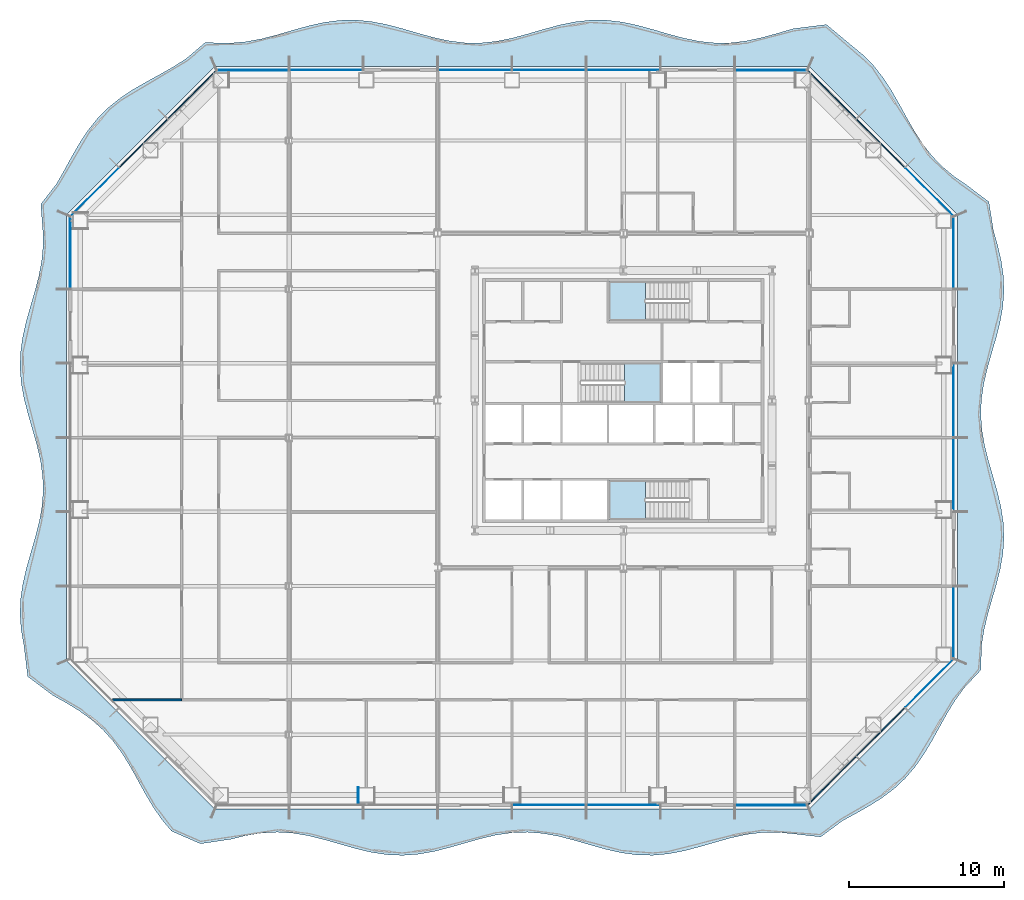
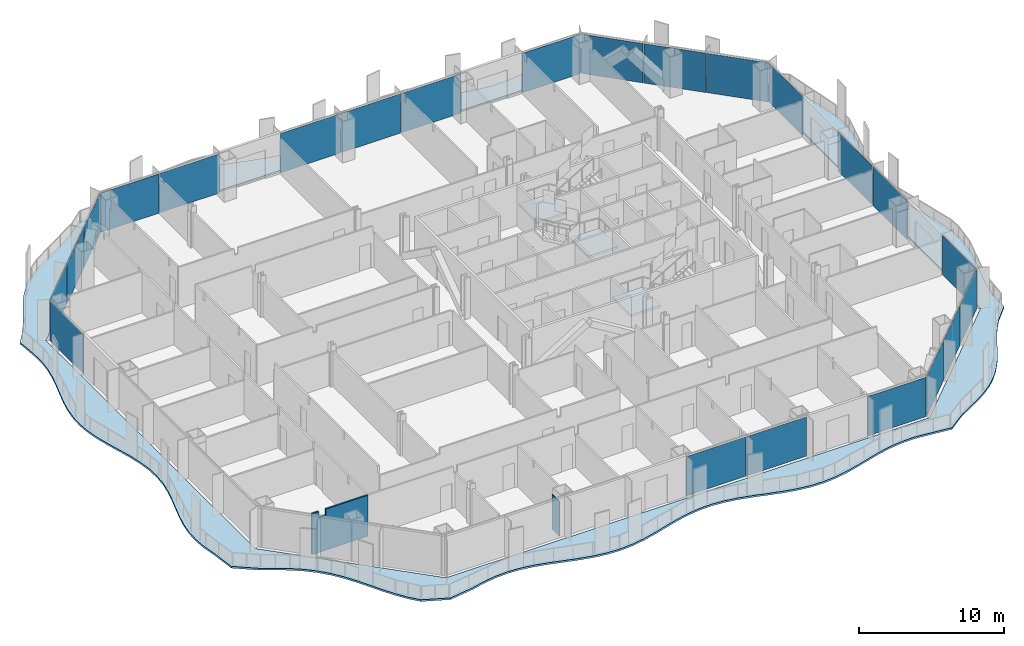
# One storey, part 5 of 21: 23 plates, 4 slabs, 2 walls, 10 elements without a shape of their own.
"""IFC4 building model written with IfcOpenShell, lengths in metres."""

from ifc_helpers import new_model, si_unit, direction, frame, frame_2d, origin, origin_2d, place, context, subcontext, project, spatial, polyline, rectangle, outline, extrude, material, layer, layer_set, type_object, element, aggregate, save


model = new_model("IFC4")

# Units and contexts
model_context = context("Model", 3, precision=1e-05, world=origin(), true_north=direction((0.0, 1.0)))
body_context = subcontext(model_context, "Body", "Model", "MODEL_VIEW")
ifc_project = project(units=[si_unit("LENGTHUNIT", "METRE"), si_unit("AREAUNIT", "SQUARE_METRE"), si_unit("VOLUMEUNIT", "CUBIC_METRE"), si_unit("PLANEANGLEUNIT", "RADIAN"), si_unit("MASSUNIT", "GRAM", prefix="KILO")], contexts=[model_context])

# Site, building, storey
site_placement = place(None, origin())
site = spatial("IfcSite", under=ifc_project, at=site_placement, CompositionType="ELEMENT")
building_placement = place(site_placement, origin())
building = spatial("IfcBuilding", under=site, at=building_placement, Name="Cairn Pilgrim Tower", CompositionType="ELEMENT")
storey_placement = place(building_placement, frame((0.0, 0.0, 58.199951171875)))
storey = spatial("IfcBuildingStorey", under=building, at=storey_placement, Name="L12", CompositionType="ELEMENT", Elevation=58.199951171875)

# Slab
ifc_material_1 = material(Name="Concrete C35/45", Category="concrete")
ifc_layer_1 = layer(ifc_material_1, 0.14990234375)
ifc_layer_set_1 = layer_set([ifc_layer_1], Name="BALCONY SLAB 150 CONCRETE C35/45")
slab_type_1 = type_object("IfcSlabType", Name="BALCONY SLAB 150 CONCRETE C35/45", PredefinedType="FLOOR", material=ifc_layer_set_1)
slab_1_placement = place(storey_placement, frame((0.0, 0.0, -0.14990234375)))
element("IfcSlab", 1, at=slab_1_placement, inside=storey, type_object=slab_type_1, Name="Balcony slab BS-1", PredefinedType="FLOOR", context=body_context, shape_type="SweptSolid", body=[
    extrude(outline(polyline([(-22.004150390625, -25.432861328125), (-20.132080078125, -26.25), (-18.189453125, -25.960205078125), (-17.178955078125, -25.71533203125), (-16.16845703125, -25.553466796875), (-15.157958984375, -25.5), (-14.1474609375, -25.563232421875), (-13.136962890625, -25.73291015625), (-12.126220703125, -25.983154296875), (-11.11572265625, -26.27490234375), (-10.105224609375, -26.5625), (-9.0947265625, -26.8017578125), (-8.084228515625, -26.955322265625), (-7.07373046875, -26.9990234375), (-6.063232421875, -26.926513671875), (-5.052734375, -26.748779296875), (-4.0419921875, -26.493408203125), (-3.031494140625, -26.200439453125), (-2.02099609375, -25.9150390625), (-1.010498046875, -25.681640625), (0.0, -25.53662109375), (1.010498046875, -25.50244140625), (2.02099609375, -25.58447265625), (3.031494140625, -25.77001953125), (4.0419921875, -26.030029296875), (5.052734375, -26.32421875), (6.063232421875, -26.60693359375), (7.07373046875, -26.834228515625), (8.084228515625, -26.970458984375), (9.0947265625, -26.994873046875), (10.105224609375, -26.903564453125), (11.11572265625, -26.710693359375), (12.126220703125, -26.446044921875), (13.136962890625, -26.151123046875), (14.1474609375, -25.871337890625), (15.157958984375, -25.650634765625), (16.16845703125, -25.52294921875), (17.178955078125, -25.50830078125), (18.189453125, -25.60888671875), (19.949462890625, -25.80908203125), (21.3466796875, -24.775390625), (22.23291015625, -24.2900390625), (23.10888671875, -23.794677734375), (23.947509765625, -23.261962890625), (24.72705078125, -22.669921875), (25.43359375, -22.005126953125), (26.064697265625, -21.2646484375), (26.627685546875, -20.456298828125), (27.140625, -19.59765625), (27.6279296875, -18.713623046875), (28.117919921875, -17.832275390625), (28.63916015625, -16.98193359375), (29.21484375, -16.186279296875), (30.300048828125, -15.021240234375), (30.353759765625, -13.406982421875), (30.511962890625, -12.413818359375), (30.7509765625, -11.420654296875), (31.034912109375, -10.427490234375), (31.321044921875, -9.4345703125), (31.566650390625, -8.44140625), (31.734619140625, -7.4482421875), (31.799560546875, -6.455078125), (31.752197265625, -5.462158203125), (31.59912109375, -4.468994140625), (31.36376953125, -3.475830078125), (31.081298828125, -2.482666015625), (30.7939453125, -1.48974609375), (30.545166015625, -0.49658203125), (30.372314453125, 0.49658203125), (30.301025390625, 1.48974609375), (30.34228515625, 2.482666015625), (30.48974609375, 3.475830078125), (30.721435546875, 4.468994140625), (31.00244140625, 5.462158203125), (31.29052734375, 6.455078125), (31.54248046875, 7.4482421875), (31.720703125, 8.44140625), (31.7978515625, 9.4345703125), (31.762939453125, 10.427490234375), (31.620849609375, 11.420654296875), (31.39306640625, 12.413818359375), (31.11376953125, 13.406982421875), (30.824951171875, 15.23876953125), (29.369384765625, 16.3408203125), (28.55517578125, 16.898193359375), (27.8076171875, 17.521728515625), (27.13525390625, 18.220947265625), (26.536376953125, 18.99365234375), (25.998779296875, 19.827392578125), (25.500732421875, 20.70068359375), (25.015869140625, 21.587158203125), (24.514892578125, 22.457763671875), (23.9716796875, 23.2861328125), (23.365966796875, 24.051513671875), (22.685791015625, 24.742919921875), (21.9306640625, 25.359375), (20.319091796875, 26.701904296875), (18.189453125, 26.435546875), (17.178955078125, 26.14013671875), (16.16845703125, 25.862060546875), (15.157958984375, 25.64404296875), (14.1474609375, 25.520263671875), (13.136962890625, 25.510009765625), (12.126220703125, 25.61474609375), (11.11572265625, 25.818115234375), (10.105224609375, 26.088623046875), (9.0947265625, 26.38427734375), (8.084228515625, 26.658935546875), (7.07373046875, 26.8701171875), (6.063232421875, 26.985107421875), (5.052734375, 26.985595703125), (4.0419921875, 26.871826171875), (3.031494140625, 26.661376953125), (2.02099609375, 26.38720703125), (1.010498046875, 26.091552734375), (0.0, 25.820556640625), (-1.010498046875, 25.6162109375), (-2.02099609375, 25.510498046875), (-3.031494140625, 25.519775390625), (-4.0419921875, 25.642333984375), (-5.052734375, 25.859619140625), (-6.063232421875, 26.137451171875), (-7.07373046875, 26.4326171875), (-8.084228515625, 26.69970703125), (-9.0947265625, 26.896728515625), (-10.105224609375, 26.9931640625), (-11.11572265625, 26.974365234375), (-12.126220703125, 26.8427734375), (-13.136962890625, 26.619140625), (-14.1474609375, 26.338134765625), (-15.157958984375, 26.04345703125), (-16.16845703125, 25.78076171875), (-17.178955078125, 25.591064453125), (-18.189453125, 25.50390625), (-19.834716796875, 25.532470703125), (-21.063232421875, 24.49169921875), (-21.90185546875, 23.958984375), (-22.778076171875, 23.463623046875), (-23.6640625, 22.978271484375), (-24.531494140625, 22.474365234375), (-25.354248046875, 21.92578125), (-26.11279296875, 21.312744140625), (-26.79638671875, 20.625), (-27.405517578125, 19.86279296875), (-27.951416015625, 19.037109375), (-28.45361328125, 18.16796875), (-28.938720703125, 17.281494140625), (-29.435302734375, 16.40673828125), (-30.455810546875, 15.085693359375), (-30.326416015625, 13.406982421875), (-30.3056640625, 12.413818359375), (-30.39697265625, 11.420654296875), (-30.586181640625, 10.427490234375), (-30.844970703125, 9.4345703125), (-31.134521484375, 8.44140625), (-31.41162109375, 7.4482421875), (-31.63427734375, 6.455078125), (-31.769287109375, 5.462158203125), (-31.796142578125, 4.468994140625), (-31.7109375, 3.475830078125), (-31.526611328125, 2.482666015625), (-31.2705078125, 1.48974609375), (-30.9814453125, 0.49658203125), (-30.70263671875, -0.49658203125), (-30.47607421875, -1.48974609375), (-30.335693359375, -2.482666015625), (-30.302490234375, -3.475830078125), (-30.381591796875, -4.468994140625), (-30.56103515625, -5.462158203125), (-30.81396484375, -6.455078125), (-31.102294921875, -7.4482421875), (-31.3828125, -8.44140625), (-31.61328125, -9.4345703125), (-31.75927734375, -10.427490234375), (-31.798583984375, -11.420654296875), (-31.7255859375, -12.413818359375), (-31.55126953125, -13.406982421875), (-31.301513671875, -15.43603515625), (-29.6845703125, -16.656005859375), (-28.803466796875, -17.146240234375), (-27.953125, -17.66748046875), (-27.157470703125, -18.2431640625), (-26.43212890625, -18.88916015625), (-25.78271484375, -19.611328125), (-25.2041015625, -20.404052734375), (-24.680908203125, -21.252197265625), (-24.189697265625, -22.132568359375), (-23.703125, -23.017333984375), (-23.19189453125, -23.877685546875), (-22.6318359375, -24.68896484375), (-22.004150390625, -25.432861328125)]), holes=[polyline([(19.199951171875, -24.0), (-19.199951171875, -24.0), (-28.800048828125, -14.39990234375), (-28.800048828125, 14.39990234375), (-19.199951171875, 24.0), (19.199951171875, 24.0), (28.800048828125, 14.39990234375), (28.800048828125, -14.39990234375), (19.199951171875, -24.0)])]), origin(), (0.0, 0.0, 1.0), 0.14990234375),
])

# Curtain wall, plate
ifc_material_2 = material(Name="Aluminium alloy 6063-T6 bronze anodised with Bronze tinted laminated low-E glass 8+16+8.8", Category="aluminium")
curtain_wall_type_1 = type_object("IfcCurtainWallType", Name="CHAMFER CORNER CURTAIN WALL", PredefinedType="NOTDEFINED", material=ifc_material_2)
curtain_wall_1_placement = place(storey_placement, origin())
curtain_wall_1 = element("IfcCurtainWall", 2, at=curtain_wall_1_placement, inside=storey, type_object=curtain_wall_type_1, Name="Chamfer Corner Curtain Wall SE", PredefinedType="NOTDEFINED")
ifc_material_3 = material(Name="Bronze anodised aluminium spandrel panel with mineral wool insulation", Category="aluminium")
ifc_layer_2 = layer(ifc_material_3, 0.06005859375)
ifc_layer_set_2 = layer_set([ifc_layer_2], Name="SPANDREL PANEL 4386x3300")
plate_type_1 = type_object("IfcPlateType", Name="SPANDREL PANEL 4386x3300", PredefinedType="CURTAIN_PANEL", material=ifc_layer_set_2)
plate_1_placement = place(storey_placement, frame((20.675537109375, -22.1708984375, 0.0), z_axis=(0.0, 0.0, 1.0), x_axis=(0.707106781187, 0.707106781187, 0.0)))
plate_1 = element("IfcPlate", 3, at=plate_1_placement, type_object=plate_type_1, Name="Spandrel Panel SE1-1", PredefinedType="CURTAIN_PANEL", context=body_context, shape_type="SweptSolid", body=[
    extrude(rectangle(XDim=4.386474609375, YDim=0.06005859375, at=origin_2d()), origin(), (0.0, 0.0, 1.0), 3.300048828125),
])

curtain_wall_2_placement = place(storey_placement, origin())
curtain_wall_2 = element("IfcCurtainWall", 4, at=curtain_wall_2_placement, inside=storey, type_object=curtain_wall_type_1, Name="Chamfer Corner Curtain Wall NE", PredefinedType="NOTDEFINED")
plate_2_placement = place(storey_placement, frame((20.675537109375, 22.1708984375, 0.0), z_axis=(0.0, 0.0, 1.0), x_axis=(-0.707106781187, 0.707106781187, 0.0)))
plate_2 = element("IfcPlate", 5, at=plate_2_placement, type_object=plate_type_1, Name="Spandrel Panel NE3-1", PredefinedType="CURTAIN_PANEL", context=body_context, shape_type="SweptSolid", body=[
    extrude(rectangle(XDim=4.386474609375, YDim=0.06005859375, at=origin_2d()), origin(), (0.0, 0.0, 1.0), 3.300048828125),
])

curtain_wall_3_placement = place(storey_placement, origin())
curtain_wall_3 = element("IfcCurtainWall", 6, at=curtain_wall_3_placement, inside=storey, type_object=curtain_wall_type_1, Name="Chamfer Corner Curtain Wall NW", PredefinedType="NOTDEFINED")
plate_3_placement = place(storey_placement, frame((-20.675537109375, 22.1708984375, 0.0), z_axis=(0.0, 0.0, 1.0), x_axis=(-0.707106781187, -0.707106781187, 0.0)))
plate_3 = element("IfcPlate", 7, at=plate_3_placement, type_object=plate_type_1, Name="Spandrel Panel NW1-1", PredefinedType="CURTAIN_PANEL", context=body_context, shape_type="SweptSolid", body=[
    extrude(rectangle(XDim=4.386474609375, YDim=0.06005859375, at=origin_2d()), origin(), (0.0, 0.0, 1.0), 3.300048828125),
])

# Plate
ifc_layer_3 = layer(ifc_material_3, 0.06005859375)
ifc_layer_set_3 = layer_set([ifc_layer_3], Name="SPANDREL PANEL 4396x3300")
plate_type_2 = type_object("IfcPlateType", Name="SPANDREL PANEL 4396x3300", PredefinedType="CURTAIN_PANEL", material=ifc_layer_set_3)
plate_4_placement = place(storey_placement, frame((23.8232421875, -19.023193359375, 0.0), z_axis=(0.0, 0.0, 1.0), x_axis=(0.707106781187, 0.707106781187, 0.0)))
plate_4 = element("IfcPlate", 8, at=plate_4_placement, type_object=plate_type_2, Name="Spandrel Panel SE2-1", PredefinedType="CURTAIN_PANEL", context=body_context, shape_type="SweptSolid", body=[
    extrude(rectangle(XDim=4.396484375, YDim=0.06005859375, at=origin_2d()), origin(), (0.0, 0.0, 1.0), 3.300048828125),
])

plate_5_placement = place(storey_placement, frame((23.8232421875, 19.023193359375, 0.0), z_axis=(0.0, 0.0, 1.0), x_axis=(-0.707106781187, 0.707106781187, 0.0)))
plate_5 = element("IfcPlate", 9, at=plate_5_placement, type_object=plate_type_2, Name="Spandrel Panel NE2-1", PredefinedType="CURTAIN_PANEL", context=body_context, shape_type="SweptSolid", body=[
    extrude(rectangle(XDim=4.396484375, YDim=0.06005859375, at=origin_2d()), origin(), (0.0, 0.0, 1.0), 3.300048828125),
])

plate_6_placement = place(storey_placement, frame((-23.8232421875, 19.023193359375, 0.0), z_axis=(0.0, 0.0, 1.0), x_axis=(-0.707106781187, -0.707106781187, 0.0)))
plate_6 = element("IfcPlate", 10, at=plate_6_placement, type_object=plate_type_2, Name="Spandrel Panel NW2-1", PredefinedType="CURTAIN_PANEL", context=body_context, shape_type="SweptSolid", body=[
    extrude(rectangle(XDim=4.396484375, YDim=0.06005859375, at=origin_2d()), origin(), (0.0, 0.0, 1.0), 3.300048828125),
])

# Curtain wall, plate
curtain_wall_type_2 = type_object("IfcCurtainWallType", Name="TOWER STICK CURTAIN WALL NS", PredefinedType="NOTDEFINED", material=ifc_material_2)
curtain_wall_4_placement = place(storey_placement, origin())
curtain_wall_4 = element("IfcCurtainWall", 11, at=curtain_wall_4_placement, inside=storey, type_object=curtain_wall_type_2, Name="Tower Stick Curtain Wall Ns S", PredefinedType="NOTDEFINED")
ifc_layer_4 = layer(ifc_material_3, 0.06005859375)
ifc_layer_set_4 = layer_set([ifc_layer_4], Name="SPANDREL PANEL 4626x3300")
plate_type_3 = type_object("IfcPlateType", Name="SPANDREL PANEL 4626x3300", PredefinedType="CURTAIN_PANEL", material=ifc_layer_set_4)
plate_7_placement = place(storey_placement, frame((16.7431640625, -23.75, 0.0), z_axis=(0.0, 0.0, 1.0), x_axis=(1.0, 0.0, 0.0)))
plate_7 = element("IfcPlate", 12, at=plate_7_placement, type_object=plate_type_3, Name="Spandrel Panel S8-1", PredefinedType="CURTAIN_PANEL", context=body_context, shape_type="SweptSolid", body=[
    extrude(rectangle(XDim=4.62646484375, YDim=0.06005859375, at=origin_2d()), origin(), (0.0, 0.0, 1.0), 3.300048828125),
])

# Curtain wall, plates
curtain_wall_5_placement = place(storey_placement, origin())
curtain_wall_5 = element("IfcCurtainWall", 13, at=curtain_wall_5_placement, inside=storey, type_object=curtain_wall_type_2, Name="Tower Stick Curtain Wall Ns N", PredefinedType="NOTDEFINED")
plate_8_placement = place(storey_placement, frame((16.7431640625, 23.75, 0.0), z_axis=(0.0, 0.0, 1.0), x_axis=(-1.0, 0.0, 0.0)))
plate_8 = element("IfcPlate", 14, at=plate_8_placement, type_object=plate_type_3, Name="Spandrel Panel N1-1", PredefinedType="CURTAIN_PANEL", context=body_context, shape_type="SweptSolid", body=[
    extrude(rectangle(XDim=4.62646484375, YDim=0.06005859375, at=origin_2d()), origin(), (0.0, 0.0, 1.0), 3.300048828125),
])
plate_9_placement = place(storey_placement, frame((-16.7431640625, 23.75, 0.0), z_axis=(0.0, 0.0, 1.0), x_axis=(-1.0, 0.0, 0.0)))
plate_9 = element("IfcPlate", 15, at=plate_9_placement, type_object=plate_type_3, Name="Spandrel Panel N8-1", PredefinedType="CURTAIN_PANEL", context=body_context, shape_type="SweptSolid", body=[
    extrude(rectangle(XDim=4.62646484375, YDim=0.06005859375, at=origin_2d()), origin(), (0.0, 0.0, 1.0), 3.300048828125),
])

# Stair, slab
ifc_material_4 = material(Name="Concrete C32/40", Category="concrete")
stair_type = type_object("IfcStairType", Name="EXIT STAIR 1200", PredefinedType="HALF_TURN_STAIR", material=ifc_material_4)
stair_1_placement = place(storey_placement, origin())
stair_1 = element("IfcStair", 16, at=stair_1_placement, inside=storey, type_object=stair_type, Name="L12 Exit Stair A", PredefinedType="HALF_TURN_STAIR")
ifc_layer_5 = layer(ifc_material_4, 0.199951171875)
ifc_layer_set_5 = layer_set([ifc_layer_5], Name="STAIR LANDING 200")
slab_type_2 = type_object("IfcSlabType", Name="STAIR LANDING 200", PredefinedType="LANDING", material=ifc_layer_set_5)
slab_2_placement = place(storey_placement, frame((0.0, 0.0, 1.60009765625)))
slab_2 = element("IfcSlab", 17, at=slab_2_placement, type_object=slab_type_2, Name="ST-A landing 1", PredefinedType="LANDING", context=body_context, shape_type="SweptSolid", body=[
    extrude(outline(polyline([(8.625, -2.77490234375), (6.27490234375, -2.77490234375), (6.27490234375, -5.300048828125), (8.625, -5.300048828125), (8.625, -2.77490234375)])), origin(), (0.0, 0.0, 1.0), 0.199951171875),
])
aggregate(stair_1, [slab_2])

stair_2_placement = place(storey_placement, origin())
stair_2 = element("IfcStair", 18, at=stair_2_placement, inside=storey, type_object=stair_type, Name="L12 Exit Stair B", PredefinedType="HALF_TURN_STAIR")
slab_3_placement = place(storey_placement, frame((0.0, 0.0, 1.60009765625)))
slab_3 = element("IfcSlab", 19, at=slab_3_placement, type_object=slab_type_2, Name="ST-B landing 1", PredefinedType="LANDING", context=body_context, shape_type="SweptSolid", body=[
    extrude(outline(polyline([(7.27490234375, 2.27490234375), (9.625, 2.27490234375), (9.625, 4.824951171875), (7.27490234375, 4.824951171875), (7.27490234375, 2.27490234375)])), origin(), (0.0, 0.0, 1.0), 0.199951171875),
])
aggregate(stair_2, [slab_3])

stair_3_placement = place(storey_placement, origin())
stair_3 = element("IfcStair", 20, at=stair_3_placement, inside=storey, type_object=stair_type, Name="L12 Exit Stair C", PredefinedType="HALF_TURN_STAIR")
slab_4_placement = place(storey_placement, frame((0.0, 0.0, 1.60009765625)))
slab_4 = element("IfcSlab", 21, at=slab_4_placement, type_object=slab_type_2, Name="ST-C landing 1", PredefinedType="LANDING", context=body_context, shape_type="SweptSolid", body=[
    extrude(outline(polyline([(8.625, 10.10009765625), (6.27490234375, 10.10009765625), (6.27490234375, 7.574951171875), (8.625, 7.574951171875), (8.625, 10.10009765625)])), origin(), (0.0, 0.0, 1.0), 0.199951171875),
])
aggregate(stair_3, [slab_4])

# Plate
ifc_material_5 = material(Name="Bronze tinted laminated low-E glass 8+16+8.8", Category="glass")
ifc_layer_6 = layer(ifc_material_5, 0.033935546875)
ifc_layer_set_6 = layer_set([ifc_layer_6], Name="VISION GLAZING 4386x3300")
plate_type_4 = type_object("IfcPlateType", Name="VISION GLAZING 4386x3300", PredefinedType="CURTAIN_PANEL", material=ifc_layer_set_6)
plate_10_placement = place(storey_placement, frame((26.970947265625, -15.87548828125, 0.0), z_axis=(0.0, 0.0, 1.0), x_axis=(0.707106781187, 0.707106781187, 0.0)))
plate_10 = element("IfcPlate", 22, at=plate_10_placement, type_object=plate_type_4, Name="Vision Glazing SE3-1", PredefinedType="CURTAIN_PANEL", context=body_context, shape_type="SweptSolid", body=[
    extrude(rectangle(XDim=4.386474609375, YDim=0.033935546875, at=origin_2d()), origin(), (0.0, 0.0, 1.0), 3.300048828125),
])

aggregate(curtain_wall_1, [plate_1, plate_4, plate_10])

plate_11_placement = place(storey_placement, frame((26.970947265625, 15.87548828125, 0.0), z_axis=(0.0, 0.0, 1.0), x_axis=(-0.707106781187, 0.707106781187, 0.0)))
plate_11 = element("IfcPlate", 23, at=plate_11_placement, type_object=plate_type_4, Name="Vision Glazing NE1-1", PredefinedType="CURTAIN_PANEL", context=body_context, shape_type="SweptSolid", body=[
    extrude(rectangle(XDim=4.386474609375, YDim=0.033935546875, at=origin_2d()), origin(), (0.0, 0.0, 1.0), 3.300048828125),
])

aggregate(curtain_wall_2, [plate_11, plate_5, plate_2])

plate_12_placement = place(storey_placement, frame((-26.970947265625, 15.87548828125, 0.0), z_axis=(0.0, 0.0, 1.0), x_axis=(-0.707106781187, -0.707106781187, 0.0)))
plate_12 = element("IfcPlate", 24, at=plate_12_placement, type_object=plate_type_4, Name="Vision Glazing NW3-1", PredefinedType="CURTAIN_PANEL", context=body_context, shape_type="SweptSolid", body=[
    extrude(rectangle(XDim=4.386474609375, YDim=0.033935546875, at=origin_2d()), origin(), (0.0, 0.0, 1.0), 3.300048828125),
])

aggregate(curtain_wall_3, [plate_3, plate_6, plate_12])

# Curtain wall, plates
curtain_wall_type_3 = type_object("IfcCurtainWallType", Name="TOWER STICK CURTAIN WALL EW", PredefinedType="NOTDEFINED", material=ifc_material_2)
curtain_wall_6_placement = place(storey_placement, origin())
curtain_wall_6 = element("IfcCurtainWall", 25, at=curtain_wall_6_placement, inside=storey, type_object=curtain_wall_type_3, Name="Tower Stick Curtain Wall Ew E", PredefinedType="NOTDEFINED")
ifc_layer_7 = layer(ifc_material_5, 0.033935546875)
ifc_layer_set_7 = layer_set([ifc_layer_7], Name="VISION GLAZING 4626x3300")
plate_type_5 = type_object("IfcPlateType", Name="VISION GLAZING 4626x3300", PredefinedType="CURTAIN_PANEL", material=ifc_layer_set_7)
plate_13_placement = place(storey_placement, frame((28.550048828125, -11.943115234375, 0.0), z_axis=(0.0, 0.0, 1.0), x_axis=(0.0, 1.0, 0.0)))
plate_13 = element("IfcPlate", 26, at=plate_13_placement, type_object=plate_type_5, Name="Vision Glazing E1-1", PredefinedType="CURTAIN_PANEL", context=body_context, shape_type="SweptSolid", body=[
    extrude(rectangle(XDim=4.62646484375, YDim=0.033935546875, at=origin_2d()), origin(), (0.0, 0.0, 1.0), 3.300048828125),
])
plate_14_placement = place(storey_placement, frame((28.550048828125, 11.943115234375, 0.0), z_axis=(0.0, 0.0, 1.0), x_axis=(0.0, 1.0, 0.0)))
plate_14 = element("IfcPlate", 27, at=plate_14_placement, type_object=plate_type_5, Name="Vision Glazing E6-1", PredefinedType="CURTAIN_PANEL", context=body_context, shape_type="SweptSolid", body=[
    extrude(rectangle(XDim=4.62646484375, YDim=0.033935546875, at=origin_2d()), origin(), (0.0, 0.0, 1.0), 3.300048828125),
])

# Curtain wall, plate
curtain_wall_7_placement = place(storey_placement, origin())
curtain_wall_7 = element("IfcCurtainWall", 28, at=curtain_wall_7_placement, inside=storey, type_object=curtain_wall_type_3, Name="Tower Stick Curtain Wall Ew W", PredefinedType="NOTDEFINED")
plate_15_placement = place(storey_placement, frame((-28.550048828125, 11.943115234375, 0.0), z_axis=(0.0, 0.0, 1.0), x_axis=(0.0, -1.0, 0.0)))
plate_15 = element("IfcPlate", 29, at=plate_15_placement, type_object=plate_type_5, Name="Vision Glazing W1-1", PredefinedType="CURTAIN_PANEL", context=body_context, shape_type="SweptSolid", body=[
    extrude(rectangle(XDim=4.62646484375, YDim=0.033935546875, at=origin_2d()), origin(), (0.0, 0.0, 1.0), 3.300048828125),
])
aggregate(curtain_wall_7, [plate_15])

# Plate
ifc_layer_8 = layer(ifc_material_5, 0.033935546875)
ifc_layer_set_8 = layer_set([ifc_layer_8], Name="VISION GLAZING 4740x3300")
plate_type_6 = type_object("IfcPlateType", Name="VISION GLAZING 4740x3300", PredefinedType="CURTAIN_PANEL", material=ifc_layer_set_8)
plate_16_placement = place(storey_placement, frame((2.39990234375, -23.75, 0.0), z_axis=(0.0, 0.0, 1.0), x_axis=(1.0, 0.0, 0.0)))
plate_16 = element("IfcPlate", 30, at=plate_16_placement, type_object=plate_type_6, Name="Vision Glazing S5-1", PredefinedType="CURTAIN_PANEL", context=body_context, shape_type="SweptSolid", body=[
    extrude(rectangle(XDim=4.739990234375, YDim=0.033935546875, at=origin_2d()), origin(), (0.0, 0.0, 1.0), 3.300048828125),
])

plate_17_placement = place(storey_placement, frame((7.199951171875, -23.75, 0.0), z_axis=(0.0, 0.0, 1.0), x_axis=(1.0, 0.0, 0.0)))
plate_17 = element("IfcPlate", 31, at=plate_17_placement, type_object=plate_type_6, Name="Vision Glazing S6-1", PredefinedType="CURTAIN_PANEL", context=body_context, shape_type="SweptSolid", body=[
    extrude(rectangle(XDim=4.739990234375, YDim=0.033935546875, at=origin_2d()), origin(), (0.0, 0.0, 1.0), 3.300048828125),
])

aggregate(curtain_wall_4, [plate_16, plate_17, plate_7])

plate_18_placement = place(storey_placement, frame((28.550048828125, -2.39990234375, 0.0), z_axis=(0.0, 0.0, 1.0), x_axis=(0.0, 1.0, 0.0)))
plate_18 = element("IfcPlate", 32, at=plate_18_placement, type_object=plate_type_6, Name="Vision Glazing E3-1", PredefinedType="CURTAIN_PANEL", context=body_context, shape_type="SweptSolid", body=[
    extrude(rectangle(XDim=4.739990234375, YDim=0.033935546875, at=origin_2d()), origin(), (0.0, 0.0, 1.0), 3.300048828125),
])

plate_19_placement = place(storey_placement, frame((28.550048828125, 2.39990234375, 0.0), z_axis=(0.0, 0.0, 1.0), x_axis=(0.0, 1.0, 0.0)))
plate_19 = element("IfcPlate", 33, at=plate_19_placement, type_object=plate_type_6, Name="Vision Glazing E4-1", PredefinedType="CURTAIN_PANEL", context=body_context, shape_type="SweptSolid", body=[
    extrude(rectangle(XDim=4.739990234375, YDim=0.033935546875, at=origin_2d()), origin(), (0.0, 0.0, 1.0), 3.300048828125),
])

aggregate(curtain_wall_6, [plate_13, plate_18, plate_19, plate_14])

plate_20_placement = place(storey_placement, frame((7.199951171875, 23.75, 0.0), z_axis=(0.0, 0.0, 1.0), x_axis=(-1.0, 0.0, 0.0)))
plate_20 = element("IfcPlate", 34, at=plate_20_placement, type_object=plate_type_6, Name="Vision Glazing N3-1", PredefinedType="CURTAIN_PANEL", context=body_context, shape_type="SweptSolid", body=[
    extrude(rectangle(XDim=4.739990234375, YDim=0.033935546875, at=origin_2d()), origin(), (0.0, 0.0, 1.0), 3.300048828125),
])

plate_21_placement = place(storey_placement, frame((2.39990234375, 23.75, 0.0), z_axis=(0.0, 0.0, 1.0), x_axis=(-1.0, 0.0, 0.0)))
plate_21 = element("IfcPlate", 35, at=plate_21_placement, type_object=plate_type_6, Name="Vision Glazing N4-1", PredefinedType="CURTAIN_PANEL", context=body_context, shape_type="SweptSolid", body=[
    extrude(rectangle(XDim=4.739990234375, YDim=0.033935546875, at=origin_2d()), origin(), (0.0, 0.0, 1.0), 3.300048828125),
])

plate_22_placement = place(storey_placement, frame((-2.39990234375, 23.75, 0.0), z_axis=(0.0, 0.0, 1.0), x_axis=(-1.0, 0.0, 0.0)))
plate_22 = element("IfcPlate", 36, at=plate_22_placement, type_object=plate_type_6, Name="Vision Glazing N5-1", PredefinedType="CURTAIN_PANEL", context=body_context, shape_type="SweptSolid", body=[
    extrude(rectangle(XDim=4.739990234375, YDim=0.033935546875, at=origin_2d()), origin(), (0.0, 0.0, 1.0), 3.300048828125),
])

plate_23_placement = place(storey_placement, frame((-12.0, 23.75, 0.0), z_axis=(0.0, 0.0, 1.0), x_axis=(-1.0, 0.0, 0.0)))
plate_23 = element("IfcPlate", 37, at=plate_23_placement, type_object=plate_type_6, Name="Vision Glazing N7-1", PredefinedType="CURTAIN_PANEL", context=body_context, shape_type="SweptSolid", body=[
    extrude(rectangle(XDim=4.739990234375, YDim=0.033935546875, at=origin_2d()), origin(), (0.0, 0.0, 1.0), 3.300048828125),
])

aggregate(curtain_wall_5, [plate_8, plate_20, plate_21, plate_22, plate_23, plate_9])

# Walls
ifc_material_6 = material(Name="Gypsum partition")
ifc_layer_9 = layer(ifc_material_6, 0.125)
ifc_layer_set_9 = layer_set([ifc_layer_9], Name="PARTITION 125 DRYWALL EI 60")
wall_type_1 = type_object("IfcWallType", Name="PARTITION 125 DRYWALL EI 60", PredefinedType="PARTITIONING", material=ifc_layer_set_9)
wall_1_placement = place(storey_placement, frame((-25.806884765625, -16.949951171875, 0.0), z_axis=(0.0, 0.0, 1.0), x_axis=(1.0, 0.0, 0.0)))
element("IfcWall", 38, at=wall_1_placement, inside=storey, type_object=wall_type_1, Name="PARTITION W012", PredefinedType="PARTITIONING", context=body_context, shape_type="SweptSolid", body=[
    extrude(outline(polyline([(0.0, 0.0), (4.456787109375, 0.0), (4.45703125, 3.449951171875), (1.1044921875, 3.449951171875), (1.102294921875, 2.929931640625), (0.55517578125, 2.929931640625), (0.552978515625, 3.449951171875), (0.0, 3.449951171875), (0.0, 0.0)])), frame((0.0, 0.0625, 0.0), z_axis=(0.0, -1.0, 0.0), x_axis=(1.0, 0.0, 0.0)), (0.0, 0.0, 1.0), 0.125),
])
ifc_layer_10 = layer(ifc_material_6, 0.050048828125)
ifc_layer_set_10 = layer_set([ifc_layer_10], Name="PARTITION 50 DRYWALL EI 60")
wall_type_2 = type_object("IfcWallType", Name="PARTITION 50 DRYWALL EI 60", PredefinedType="PARTITIONING", material=ifc_layer_set_10)
wall_2_placement = place(storey_placement, frame((-9.938720703125, -23.60009765625, 0.0), z_axis=(0.0, 0.0, 1.0), x_axis=(0.0, 1.0, 0.0)))
element("IfcWall", 39, at=wall_2_placement, inside=storey, type_object=wall_type_2, Name="COLUMN CASING WC02", PredefinedType="PARTITIONING", context=body_context, shape_type="SweptSolid", body=[
    extrude(rectangle(XDim=1.0, YDim=0.050048828125, at=frame_2d((0.5, 0.0))), origin(), (0.0, 0.0, 1.0), 2.929931640625),
])

save(model, "model.ifc")
